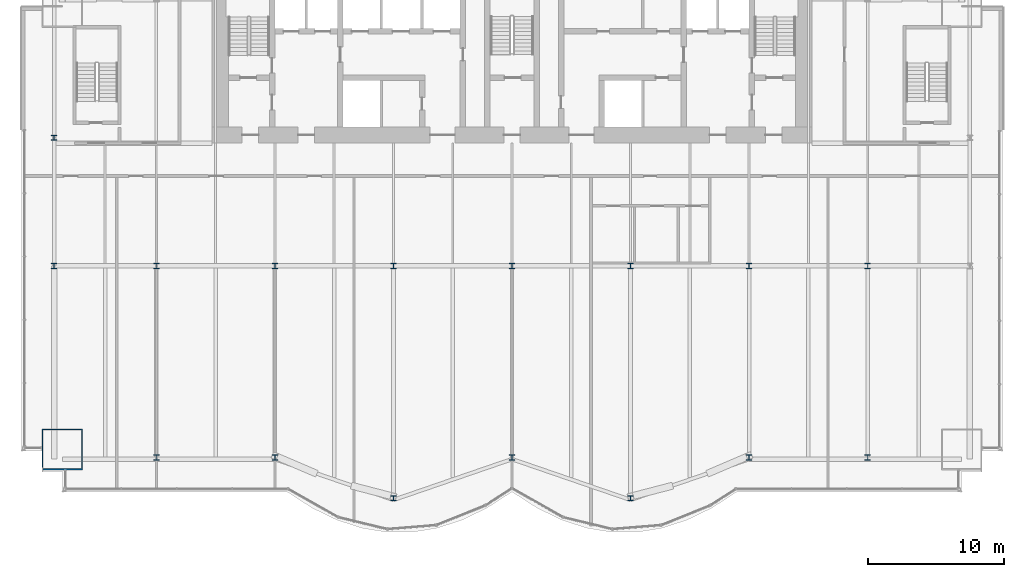
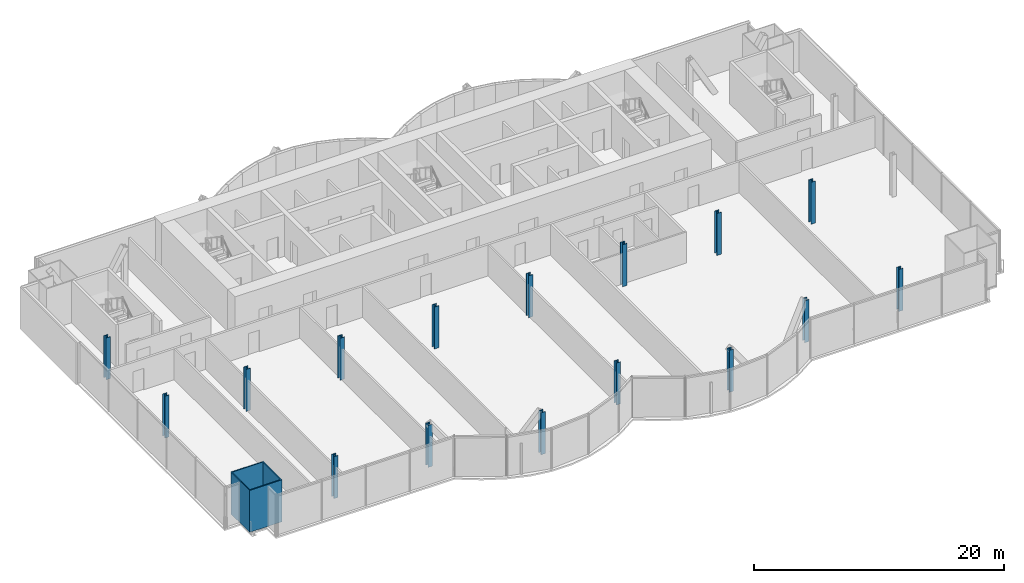
# One storey, part 1 of 21: 17 columns.
"""IFC4 building model written with IfcOpenShell, lengths in metres."""

from ifc_helpers import new_model, si_unit, direction, frame, origin, origin_2d, place, context, subcontext, project, spatial, hollow_rectangle, i_section, extrude, material, material_profile, profile_set, type_object, element, save


model = new_model("IFC4")

# Units and contexts
model_context = context("Model", 3, precision=1e-05, world=origin(), true_north=direction((0.0, 1.0)))
body_context = subcontext(model_context, "Body", "Model", "MODEL_VIEW")
ifc_project = project(units=[si_unit("LENGTHUNIT", "METRE"), si_unit("AREAUNIT", "SQUARE_METRE"), si_unit("VOLUMEUNIT", "CUBIC_METRE"), si_unit("PLANEANGLEUNIT", "RADIAN"), si_unit("MASSUNIT", "GRAM", prefix="KILO")], contexts=[model_context])

# Site, building, storey
site_placement = place(None, origin())
site = spatial("IfcSite", under=ifc_project, at=site_placement, CompositionType="ELEMENT")
building_placement = place(site_placement, origin())
building = spatial("IfcBuilding", under=site, at=building_placement, Name="Bicima Exchange Tower", CompositionType="ELEMENT")
storey_placement = place(building_placement, frame((0.0, 0.0, 98.10009765625)))
storey = spatial("IfcBuildingStorey", under=building, at=storey_placement, Name="L20", CompositionType="ELEMENT", Elevation=98.10009765625)

# Columns
ifc_material_1 = material(Name="Steel ASTM A992 Gr 50", Category="steel")
ifc_material_profile_1 = material_profile(ifc_material_1, i_section(OverallWidth=0.406494140625, OverallDepth=0.41650390625, WebThickness=0.030029296875, FlangeThickness=0.048095703125, at=origin_2d()))
ifc_profile_set_1 = profile_set([ifc_material_profile_1], Name="Steel ASTM A992 Gr 50")
column_type_1 = type_object("IfcColumnType", Name="Interior column W14x257", PredefinedType="COLUMN", material=ifc_profile_set_1)
for number, where, z_axis, x_axis, name in (
    (1, (-26.10009765625, -22.0, 0.0), (0.0, 0.0, 1.0), (1.0, 0.0, 0.0), "Interior column interior-26.1i"),
    (2, (-17.39990234375, -22.0, 0.0), (0.0, 0.0, 1.0), (1.0, 0.0, 0.0), "Interior column interior-17.4i"),
    (3, (-8.699951171875, -22.0, 0.0), (0.0, 0.0, 1.0), (1.0, 0.0, 0.0), "Interior column interior-8.7i"),
    (4, (0.0, -22.0, 0.0), (0.0, 0.0, 1.0), (1.0, 0.0, 0.0), "Interior column interior+0.0i"),
    (5, (8.699951171875, -22.0, 0.0), (0.0, 0.0, 1.0), (1.0, 0.0, 0.0), "Interior column interior+8.7i"),
    (6, (17.39990234375, -22.0, 0.0), (0.0, 0.0, 1.0), (1.0, 0.0, 0.0), "Interior column interior+17.4i"),
    (7, (26.10009765625, -22.0, 0.0), (0.0, 0.0, 1.0), (1.0, 0.0, 0.0), "Interior column interior+26.1i"),
):
    element("IfcColumn", number, at=place(storey_placement, frame(where, z_axis=z_axis, x_axis=x_axis)), inside=storey, type_object=column_type_1, Name=name, PredefinedType="COLUMN", context=body_context, shape_type="SweptSolid", body=[
        extrude(i_section(OverallWidth=0.406494140625, OverallDepth=0.41650390625, WebThickness=0.030029296875, FlangeThickness=0.048095703125, at=origin_2d()), origin(), (0.0, 0.0, 1.0), 4.099853515625),
    ])
ifc_material_2 = material(Name="Steel ASTM A572 Gr 50", Category="steel")
ifc_material_profile_2 = material_profile(ifc_material_2, hollow_rectangle(XDim=3.0, YDim=3.0, WallThickness=0.090087890625, at=origin_2d()))
ifc_profile_set_2 = profile_set([ifc_material_profile_2], Name="Steel ASTM A572 Gr 50")
column_type_2 = type_object("IfcColumnType", Name="Mega column BOX 3000x3000x90", PredefinedType="COLUMN", material=ifc_profile_set_2)
column_placement = place(storey_placement, frame((-33.0, -35.4619140625, 0.0), z_axis=(0.0, 0.0, 1.0), x_axis=(1.0, 0.0, 0.0)))
element("IfcColumn", 8, at=column_placement, inside=storey, type_object=column_type_2, Name="Mega column mega-33.0f", PredefinedType="COLUMN", context=body_context, shape_type="SweptSolid", body=[
    extrude(hollow_rectangle(XDim=3.0, YDim=3.0, WallThickness=0.090087890625, at=origin_2d()), origin(), (0.0, 0.0, 1.0), 4.099853515625),
])
ifc_material_profile_3 = material_profile(ifc_material_1, i_section(OverallWidth=0.398681640625, OverallDepth=0.393798828125, WebThickness=0.022705078125, FlangeThickness=0.03662109375, at=origin_2d()))
ifc_profile_set_3 = profile_set([ifc_material_profile_3], Name="Steel ASTM A992 Gr 50")
column_type_3 = type_object("IfcColumnType", Name="Perimeter column W14x193", PredefinedType="COLUMN", material=ifc_profile_set_3)
for number, where, z_axis, x_axis, name in (
    (9, (-26.10009765625, -36.06201171875, 0.0), (0.0, 0.0, 1.0), (1.0, 0.0, 0.0), "Perimeter column grav-26.1f"),
    (10, (-17.39990234375, -36.06201171875, 0.0), (0.0, 0.0, 1.0), (1.0, 0.0, 0.0), "Perimeter column grav-17.4f"),
    (11, (-8.699951171875, -39.052978515625, 0.0), (0.0, 0.0, 1.0), (1.0, 0.0, 0.0), "Perimeter column grav-8.7f"),
    (12, (0.0, -36.06201171875, 0.0), (0.0, 0.0, 1.0), (1.0, 0.0, 0.0), "Perimeter column grav-0.0f"),
    (13, (8.699951171875, -39.052978515625, 0.0), (0.0, 0.0, 1.0), (1.0, 0.0, 0.0), "Perimeter column grav+8.7f"),
    (14, (17.39990234375, -36.06201171875, 0.0), (0.0, 0.0, 1.0), (1.0, 0.0, 0.0), "Perimeter column grav+17.4f"),
    (15, (26.10009765625, -36.06201171875, 0.0), (0.0, 0.0, 1.0), (1.0, 0.0, 0.0), "Perimeter column grav+26.1f"),
    (16, (-33.60009765625, -12.60009765625, 0.0), (0.0, 0.0, 1.0), (1.0, 0.0, 0.0), "End column end-33.6e"),
    (17, (-33.60009765625, -22.0, 0.0), (0.0, 0.0, 1.0), (1.0, 0.0, 0.0), "End column end-33.6e"),
):
    element("IfcColumn", number, at=place(storey_placement, frame(where, z_axis=z_axis, x_axis=x_axis)), inside=storey, type_object=column_type_3, Name=name, PredefinedType="COLUMN", context=body_context, shape_type="SweptSolid", body=[
        extrude(i_section(OverallWidth=0.398681640625, OverallDepth=0.393798828125, WebThickness=0.022705078125, FlangeThickness=0.03662109375, at=origin_2d()), origin(), (0.0, 0.0, 1.0), 4.099853515625),
    ])

save(model, "model.ifc")
